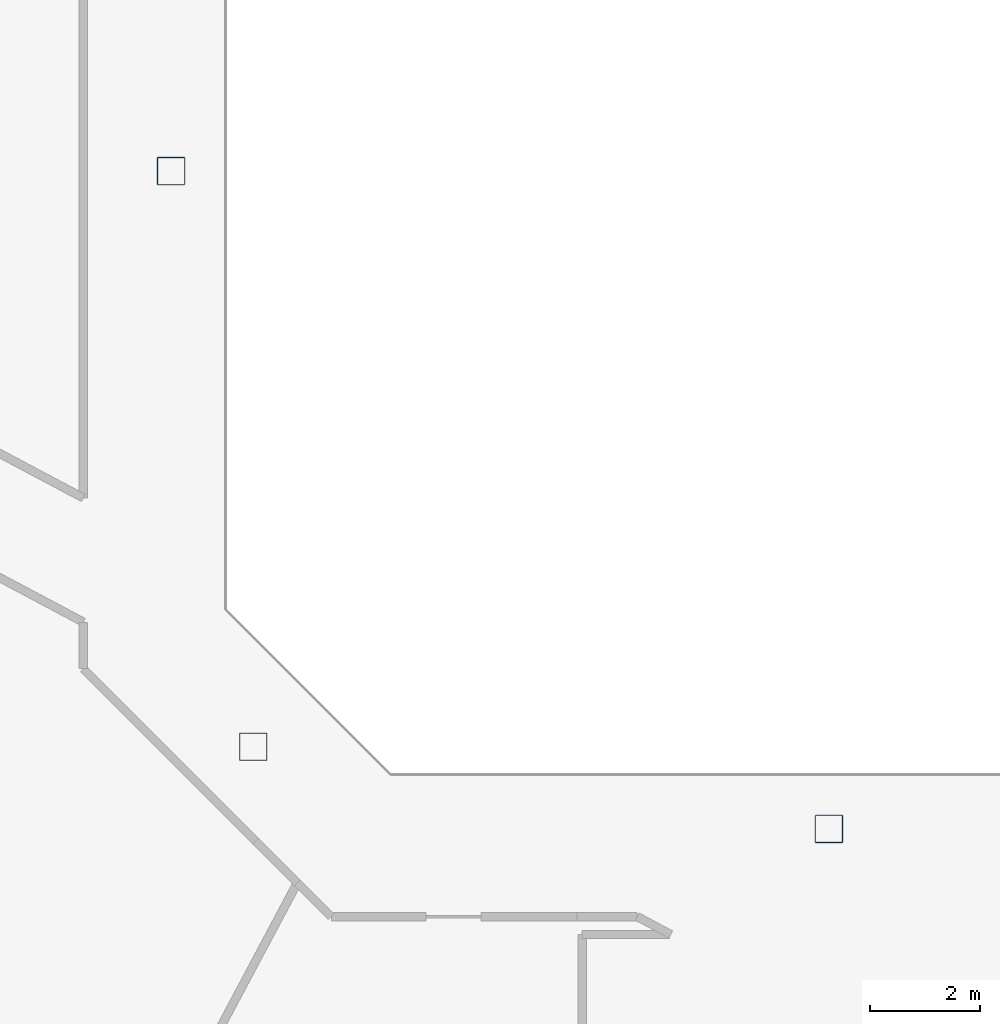
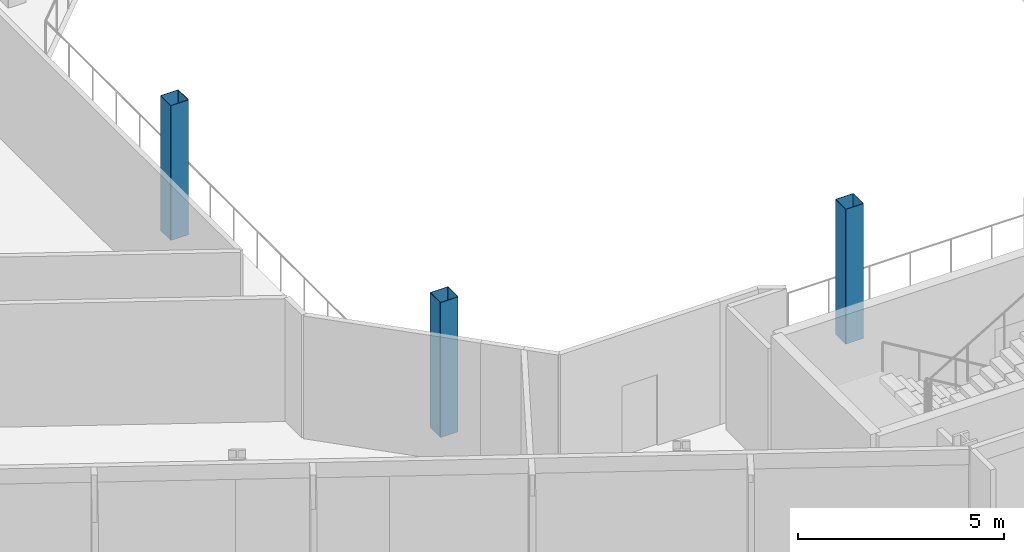
# One storey, part 2 of 28: 3 columns.
"""IFC4 building model written with IfcOpenShell, lengths in metres."""

import ifcopenshell
import ifcopenshell.guid

model = None  # the IFC model being written
_history = None  # IfcOwnerHistory: only IFC2X3 demands one
_inside = {}  # id of a spatial element -> (the spatial element, [elements in it])
_under = {}  # id of a project, library or spatial element -> (it, [spatial elements below it])
_declared = {}  # id of a project -> (the project, [libraries it declares])
_typed = {}  # id of a type object -> (the type object, [elements of that type])
_made_of = {}  # id of a material, layer set ... -> (it, [elements and type objects made of it])


def new_model(schema):
    """Start an empty IFC model of exactly this schema.

    Asked for "IFC4X3", IfcOpenShell would pick the latest addendum, in which some entities
    have other attributes; the version numbers below select the first issue.
    IFC2X3 requires an IfcOwnerHistory on every rooted entity: one is made here for all.
    """
    global model, _history
    if schema == "IFC4X3":
        model = ifcopenshell.file(schema_version=(4, 3, 0, 0))
    else:
        model = ifcopenshell.file(schema=schema)
    _inside.clear()
    _under.clear()
    _declared.clear()
    _typed.clear()
    _made_of.clear()
    _history = None
    if model.schema == "IFC2X3":
        org = make("IfcOrganization", Name="unknown")
        user = make(
            "IfcPersonAndOrganization",
            ThePerson=make("IfcPerson", FamilyName="unknown"),
            TheOrganization=org,
        )
        app = make(
            "IfcApplication",
            ApplicationDeveloper=org,
            Version="unknown",
            ApplicationFullName="unknown",
            ApplicationIdentifier="unknown",
        )
        _history = make(
            "IfcOwnerHistory",
            OwningUser=user,
            OwningApplication=app,
            ChangeAction="ADDED",
            CreationDate=0,
        )
    return model


def make(cls, **values):
    """One entity of the class cls with the attributes given. An attribute that is None is left unset."""
    return model.create_entity(
        cls, **{name: value for name, value in values.items() if value is not None}
    )


def rooted(cls, **values):
    """An entity with a GlobalId (a new one), such as an element, a storey or a relation."""
    return make(cls, GlobalId=ifcopenshell.guid.new(), OwnerHistory=_history, **values)


def si_unit(unit_type, name, prefix=None):
    """IfcSIUnit, for example si_unit("LENGTHUNIT", "METRE", prefix="MILLI")."""
    return make("IfcSIUnit", UnitType=unit_type, Prefix=prefix, Name=name)


def assignment(units):
    """IfcUnitAssignment: the units of a project."""
    return None if units is None else make("IfcUnitAssignment", Units=units)


def point(xyz):
    """IfcCartesianPoint."""
    return None if xyz is None else make("IfcCartesianPoint", Coordinates=xyz)


def direction(xyz):
    """IfcDirection."""
    return None if xyz is None else make("IfcDirection", DirectionRatios=xyz)


def frame(location, z_axis=None, x_axis=None):
    """IfcAxis2Placement3D, a coordinate frame: its origin and axes. An axis left out is left unset."""
    return make(
        "IfcAxis2Placement3D",
        Location=point(location),
        Axis=direction(z_axis),
        RefDirection=direction(x_axis),
    )


def frame_2d(location, x_axis=None):
    """IfcAxis2Placement2D, a coordinate frame in the plane: its origin and x axis."""
    return make(
        "IfcAxis2Placement2D", Location=point(location), RefDirection=direction(x_axis)
    )


def origin():
    """The frame at (0, 0, 0) with its axes left unset."""
    return frame((0.0, 0.0, 0.0))


def origin_2d():
    """The frame at (0, 0) in the plane with its x axis left unset."""
    return frame_2d((0.0, 0.0))


def place(relative_to, where):
    """IfcLocalPlacement: puts the frame where relative to a parent placement (None: the world)."""
    return make(
        "IfcLocalPlacement", PlacementRelTo=relative_to, RelativePlacement=where
    )


def context(
    kind, dimensions, precision=None, world=None, true_north=None, identifier=None
):
    """IfcGeometricRepresentationContext, for example the 3D "Model" context."""
    return make(
        "IfcGeometricRepresentationContext",
        ContextIdentifier=identifier,
        ContextType=kind,
        CoordinateSpaceDimension=dimensions,
        Precision=precision,
        WorldCoordinateSystem=world,
        TrueNorth=true_north,
    )


def subcontext(parent, identifier, kind, view, scale=None):
    """IfcGeometricRepresentationSubContext, for example "Body" below "Model"."""
    return make(
        "IfcGeometricRepresentationSubContext",
        ContextIdentifier=identifier,
        ContextType=kind,
        ParentContext=parent,
        TargetScale=scale,
        TargetView=view,
    )


def project(units=None, contexts=None):
    """IfcProject with its units and contexts."""
    return rooted(
        "IfcProject",
        Name="project",
        RepresentationContexts=contexts,
        UnitsInContext=assignment(units),
    )


def spatial(cls, under=None, at=None, **own):
    """A site, building, storey or space (cls), placed at a placement, below another one or the project."""
    s = rooted(cls, ObjectPlacement=at, **own)
    if under is not None:
        _under.setdefault(under.id(), (under, []))[1].append(s)
    return s


def profile(cls, at=None, kind="AREA", **sizes):
    """A parametric profile (cls). Its sizes go by their IFC names, for example OverallWidth=200.0."""
    return make(cls, ProfileType=kind, Position=at, **sizes)


def hollow_rectangle(**sizes):
    """IfcRectangleHollowProfileDef."""
    return profile("IfcRectangleHollowProfileDef", **sizes)


def extrude(swept, where, along, depth):
    """IfcExtrudedAreaSolid: the profile swept, set in the frame where, extruded along a direction by depth."""
    return make(
        "IfcExtrudedAreaSolid",
        SweptArea=swept,
        Position=where,
        ExtrudedDirection=direction(along),
        Depth=depth,
    )


def shape(context_of_items, identifier, shape_type, items):
    """IfcShapeRepresentation: the items that make up one representation, for example the "Body"."""
    return make(
        "IfcShapeRepresentation",
        ContextOfItems=context_of_items,
        RepresentationIdentifier=identifier,
        RepresentationType=shape_type,
        Items=items,
    )


def material(Name=None, Category=None):
    """IfcMaterial."""
    return make("IfcMaterial", Name=Name, Category=Category)


def material_profile(
    of_material, cross_section, Name=None, Category=None, Priority=None
):
    """IfcMaterialProfile: a cross section and its material."""
    return make(
        "IfcMaterialProfile",
        Name=Name,
        Material=of_material,
        Profile=cross_section,
        Priority=Priority,
        Category=Category,
    )


def profile_set(profiles, Name=None, composite=None):
    """IfcMaterialProfileSet."""
    return make(
        "IfcMaterialProfileSet",
        Name=Name,
        MaterialProfiles=profiles,
        CompositeProfile=composite,
    )


def made_of(thing, what):
    """Note that an element or type object is made of a material, layer set ...; save() writes the relation."""
    if what is not None:
        _made_of.setdefault(what.id(), (what, []))[1].append(thing)
    return thing


def type_object(cls, material=None, **own):
    """A type object (cls), such as IfcWallType, which elements share."""
    return made_of(rooted(cls, **own), material)


def element(
    cls,
    number,
    at=None,
    inside=None,
    cuts=None,
    type_object=None,
    material=None,
    context=None,
    identifier="Body",
    shape_type=None,
    held_by="IfcProductDefinitionShape",
    body=None,
    shapes=None,
    **own,
):
    """One element of the class cls, such as IfcWall. Its Tag is "e" and its number.

    at: its placement. inside: the storey or other place that contains it. cuts: it is an
    opening in that element (IfcRelVoidsElement). A single representation is given by context,
    identifier, shape_type and body (its items); several are given by shapes. held_by: the class
    of the entity that holds the representations. save() writes the other relations.
    """
    e = rooted(cls, Tag="e%d" % number, ObjectPlacement=at, **own)
    if body is not None:
        shapes = [shape(context, identifier, shape_type, body)]
    if shapes is not None:
        e.Representation = make(held_by, Representations=shapes)
    if inside is not None:
        _inside.setdefault(inside.id(), (inside, []))[1].append(e)
    if cuts is not None:
        rooted(
            "IfcRelVoidsElement", RelatingBuildingElement=cuts, RelatedOpeningElement=e
        )
    if type_object is not None:
        _typed.setdefault(type_object.id(), (type_object, []))[1].append(e)
    return made_of(e, material)


def aggregate(whole, parts):
    """IfcRelAggregates: a whole, such as a stair, and the parts it consists of."""
    return rooted("IfcRelAggregates", RelatingObject=whole, RelatedObjects=parts)


def save(model, path):
    """Write the relations noted so far, then the file.

    IfcRelAggregates (storeys below a building ...), IfcRelContainedInSpatialStructure (elements
    in a storey), IfcRelDefinesByType, IfcRelAssociatesMaterial and IfcRelDeclares: one each for
    every whole, place, type object, material and project.
    """
    for whole, parts in _under.values():
        aggregate(whole, parts)
    for where, things in _inside.values():
        rooted(
            "IfcRelContainedInSpatialStructure",
            RelatedElements=things,
            RelatingStructure=where,
        )
    for kind, things in _typed.values():
        rooted("IfcRelDefinesByType", RelatedObjects=things, RelatingType=kind)
    for what, things in _made_of.values():
        rooted("IfcRelAssociatesMaterial", RelatedObjects=things, RelatingMaterial=what)
    for by, libraries in _declared.values():
        rooted("IfcRelDeclares", RelatingContext=by, RelatedDefinitions=libraries)
    model.write(path)


model = new_model("IFC4")

# Units and contexts
model_context = context("Model", 3, precision=1e-05, world=origin(), true_north=direction((0.0, 1.0)))
body_context = subcontext(model_context, "Body", "Model", "MODEL_VIEW")
ifc_project = project(units=[si_unit("LENGTHUNIT", "METRE"), si_unit("AREAUNIT", "SQUARE_METRE"), si_unit("VOLUMEUNIT", "CUBIC_METRE"), si_unit("PLANEANGLEUNIT", "RADIAN"), si_unit("MASSUNIT", "GRAM", prefix="KILO")], contexts=[model_context])

# Site, building, storey
site_placement = place(None, origin())
site = spatial("IfcSite", under=ifc_project, at=site_placement, CompositionType="ELEMENT")
building_placement = place(site_placement, origin())
building = spatial("IfcBuilding", under=site, at=building_placement, Name="Cormorant Relay Tower", CompositionType="ELEMENT")
storey_placement = place(building_placement, frame((0.0, 0.0, 170.199951171875)))
storey = spatial("IfcBuildingStorey", under=building, at=storey_placement, Name="L36", CompositionType="ELEMENT", Elevation=170.199951171875)

# Columns
ifc_material = material(Name="Steel ASTM A500 Grade C (Fy 345 MPa)", Category="steel")
ifc_material_profile = material_profile(ifc_material, hollow_rectangle(XDim=0.508056640625, YDim=0.508056640625, WallThickness=0.01171875, InnerFilletRadius=0.005859375, OuterFilletRadius=0.017822265625, at=origin_2d()), Name="HSS508x508x12")
ifc_profile_set = profile_set([ifc_material_profile], Name="Steel ASTM A500 Grade C (Fy 345 MPa)")
column_type = type_object("IfcColumnType", Name="Column HSS508x508x12", PredefinedType="COLUMN", material=ifc_profile_set)
for number, where, z_axis, x_axis, name in (
    (1, (0.0, -12.0, 0.0), (0.0, 0.0, 1.0), (1.0, 0.0, 0.0), "Column L36-007"),
    (2, (-10.5, -10.5, 0.0), (0.0, 0.0, 1.0), (1.0, 0.0, 0.0), "Column L36-009"),
    (3, (-12.0, 0.0, 0.0), (0.0, 0.0, 1.0), (1.0, 0.0, 0.0), "Column L36-015"),
):
    element("IfcColumn", number, at=place(storey_placement, frame(where, z_axis=z_axis, x_axis=x_axis)), inside=storey, type_object=column_type, Name=name, PredefinedType="COLUMN", context=body_context, shape_type="SweptSolid", body=[
        extrude(hollow_rectangle(XDim=0.508056640625, YDim=0.508056640625, WallThickness=0.01171875, InnerFilletRadius=0.005859375, OuterFilletRadius=0.017822265625, at=origin_2d()), origin(), (0.0, 0.0, 1.0), 4.0),
    ])

save(model, "model.ifc")
